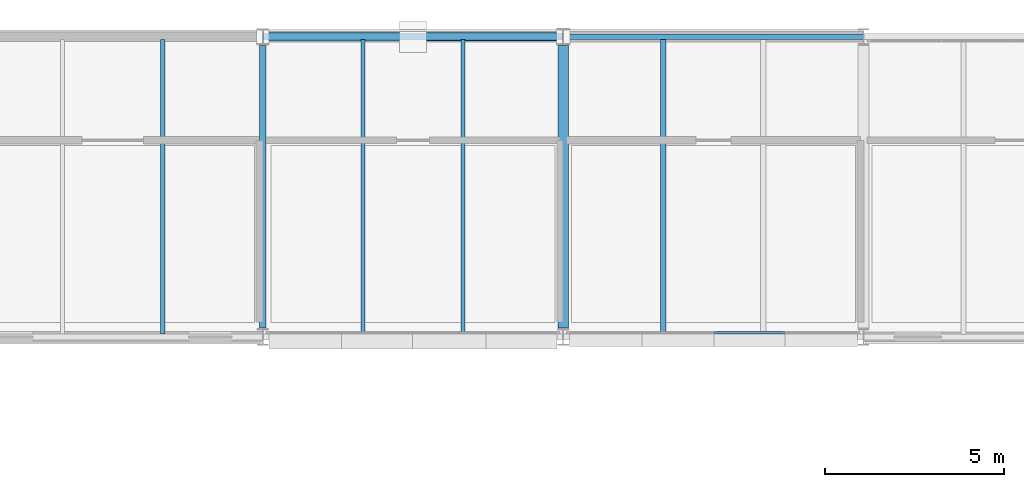
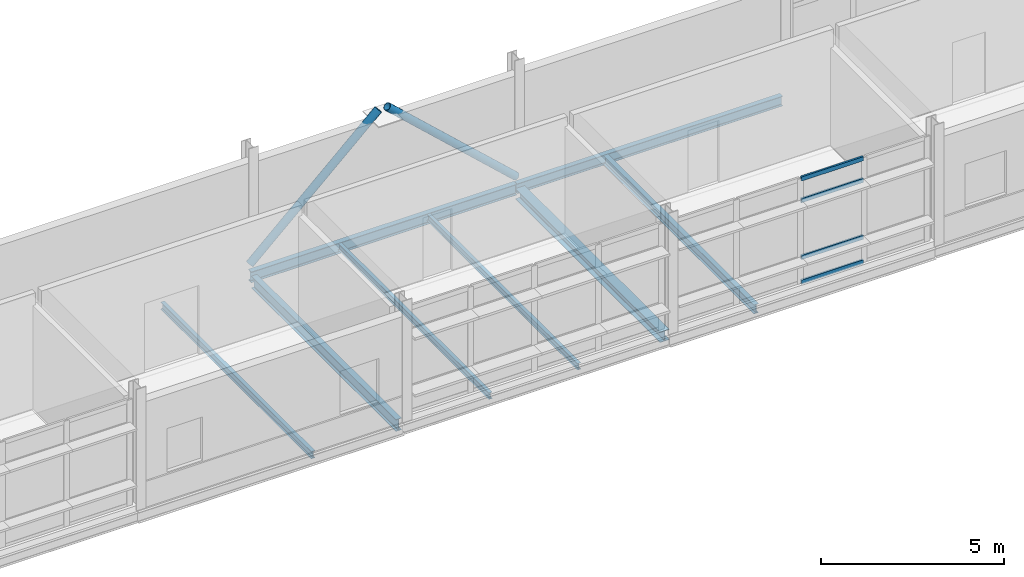
# One storey, part 66 of 131: 8 beams, 6 members, 1 element without a shape of its own.
"""IFC4 building model written with IfcOpenShell, lengths in metres."""

from ifc_helpers import new_model, si_unit, direction, frame, origin, origin_2d, place, context, subcontext, project, spatial, hollow_rectangle, hollow_circle, i_section, extrude, material, material_profile, profile_set, type_object, element, aggregate, save


model = new_model("IFC4")

# Units and contexts
model_context = context("Model", 3, precision=1e-05, world=origin(), true_north=direction((0.0, 1.0)))
body_context = subcontext(model_context, "Body", "Model", "MODEL_VIEW")
ifc_project = project(units=[si_unit("LENGTHUNIT", "METRE"), si_unit("AREAUNIT", "SQUARE_METRE"), si_unit("VOLUMEUNIT", "CUBIC_METRE"), si_unit("PLANEANGLEUNIT", "RADIAN"), si_unit("MASSUNIT", "GRAM", prefix="KILO")], contexts=[model_context])

# Site, building, storey
site_placement = place(None, origin())
site = spatial("IfcSite", under=ifc_project, at=site_placement, CompositionType="ELEMENT")
building_placement = place(site_placement, origin())
building = spatial("IfcBuilding", under=site, at=building_placement, Name="Mersafa Astral City Hall", CompositionType="ELEMENT")
storey_placement = place(building_placement, frame((0.0, 0.0, 13.949951171875)))
storey = spatial("IfcBuildingStorey", under=building, at=storey_placement, Name="L03", CompositionType="ELEMENT", Elevation=13.949951171875)

# Curtain wall, members
ifc_material_1 = material(Name="Anodised bronze aluminium framing", Category="aluminium")
curtain_wall_type = type_object("IfcCurtainWallType", Name="ENV-CW-2", PredefinedType="USERDEFINED", material=ifc_material_1)
curtain_wall_placement = place(storey_placement, origin())
curtain_wall = element("IfcCurtainWall", 1, at=curtain_wall_placement, inside=storey, type_object=curtain_wall_type, Name="L03 Unitised solar curtain wall 181", ObjectType="UNITISED CURTAIN WALL", PredefinedType="USERDEFINED")
ifc_material_profile_1 = material_profile(ifc_material_1, hollow_rectangle(XDim=0.06005859375, YDim=0.139892578125, WallThickness=0.00390625, at=origin_2d()), Name="RHS 60x140x4")
ifc_profile_set_1 = profile_set([ifc_material_profile_1], Name="Anodised bronze aluminium framing")
member_type_1 = type_object("IfcMemberType", Name="ENV-CW-TRN-1", PredefinedType="USERDEFINED", material=ifc_profile_set_1)
member_1_placement = place(storey_placement, frame((88.22998046875, 117.719970703125, 0.028076171875), z_axis=(1.0, 0.0, 0.0), x_axis=(0.0, 1.0, 0.0)))
member_1 = element("IfcMember", 2, at=member_1_placement, type_object=member_type_1, Name="CW-2 transom 3.1", ObjectType="TRANSOM", PredefinedType="USERDEFINED", context=body_context, shape_type="SweptSolid", body=[
    extrude(hollow_rectangle(XDim=0.06005859375, YDim=0.139892578125, WallThickness=0.00390625, at=origin_2d()), origin(), (0.0, 0.0, 1.0), 1.958984375),
])
member_2_placement = place(storey_placement, frame((88.22998046875, 117.719970703125, 0.85009765625), z_axis=(1.0, 0.0, 0.0), x_axis=(0.0, 1.0, 0.0)))
member_2 = element("IfcMember", 3, at=member_2_placement, type_object=member_type_1, Name="CW-2 transom 3.2", ObjectType="TRANSOM", PredefinedType="USERDEFINED", context=body_context, shape_type="SweptSolid", body=[
    extrude(hollow_rectangle(XDim=0.06005859375, YDim=0.139892578125, WallThickness=0.00390625, at=origin_2d()), origin(), (0.0, 0.0, 1.0), 1.958984375),
])
member_3_placement = place(storey_placement, frame((88.22998046875, 117.719970703125, 2.75), z_axis=(1.0, 0.0, 0.0), x_axis=(0.0, 1.0, 0.0)))
member_3 = element("IfcMember", 4, at=member_3_placement, type_object=member_type_1, Name="CW-2 transom 3.3", ObjectType="TRANSOM", PredefinedType="USERDEFINED", context=body_context, shape_type="SweptSolid", body=[
    extrude(hollow_rectangle(XDim=0.06005859375, YDim=0.139892578125, WallThickness=0.00390625, at=origin_2d()), origin(), (0.0, 0.0, 1.0), 1.958984375),
])
member_4_placement = place(storey_placement, frame((88.22998046875, 117.719970703125, 3.47216796875), z_axis=(1.0, 0.0, 0.0), x_axis=(0.0, 1.0, 0.0)))
member_4 = element("IfcMember", 5, at=member_4_placement, type_object=member_type_1, Name="CW-2 transom 3.4", ObjectType="TRANSOM", PredefinedType="USERDEFINED", context=body_context, shape_type="SweptSolid", body=[
    extrude(hollow_rectangle(XDim=0.06005859375, YDim=0.139892578125, WallThickness=0.00390625, at=origin_2d()), origin(), (0.0, 0.0, 1.0), 1.958984375),
])
aggregate(curtain_wall, [member_1, member_2, member_3, member_4])

# Beams
ifc_material_2 = material(Name="Steel S355", Category="steel")
ifc_material_profile_2 = material_profile(ifc_material_2, i_section(OverallWidth=0.300048828125, OverallDepth=0.35009765625, WebThickness=0.010009765625, FlangeThickness=0.017578125, FilletRadius=0.027099609375, at=origin_2d()), Name="HEA 360")
ifc_profile_set_2 = profile_set([ifc_material_profile_2], Name="Steel S355")
beam_type_1 = type_object("IfcBeamType", Name="STR-BM-HEA360", PredefinedType="BEAM", material=ifc_profile_set_2)
beam_1_placement = place(storey_placement, frame((84.0, 117.844970703125, -0.375), z_axis=(0.0, 1.0, 0.0), x_axis=(-1.0, 0.0, 0.0)))
element("IfcBeam", 6, at=beam_1_placement, inside=storey, type_object=beam_type_1, Name="L03 Primary girder Y 10-14", PredefinedType="BEAM", context=body_context, shape_type="SweptSolid", body=[
    extrude(i_section(OverallWidth=0.300048828125, OverallDepth=0.35009765625, WebThickness=0.010009765625, FlangeThickness=0.017578125, FilletRadius=0.027099609375, at=origin_2d()), origin(), (0.0, 0.0, 1.0), 7.909912109375),
])
ifc_material_profile_3 = material_profile(ifc_material_2, i_section(OverallWidth=0.179931640625, OverallDepth=0.39990234375, WebThickness=0.008544921875, FlangeThickness=0.013427734375, FilletRadius=0.02099609375, at=origin_2d()), Name="IPE 400")
ifc_profile_set_3 = profile_set([ifc_material_profile_3], Name="Steel S355")
beam_type_2 = type_object("IfcBeamType", Name="STR-BM-IPE400", PredefinedType="BEAM", material=ifc_profile_set_3)
beam_2_placement = place(storey_placement, frame((75.60009765625, 117.844970703125, -0.39990234375), z_axis=(0.0, 1.0, 0.0), x_axis=(-1.0, 0.0, 0.0)))
element("IfcBeam", 7, at=beam_2_placement, inside=storey, type_object=beam_type_2, Name="L03 Primary girder Y 9-14", PredefinedType="BEAM", context=body_context, shape_type="SweptSolid", body=[
    extrude(i_section(OverallWidth=0.179931640625, OverallDepth=0.39990234375, WebThickness=0.008544921875, FlangeThickness=0.013427734375, FilletRadius=0.02099609375, at=origin_2d()), origin(), (0.0, 0.0, 1.0), 7.909912109375),
])
ifc_material_profile_4 = material_profile(ifc_material_2, i_section(OverallWidth=0.110107421875, OverallDepth=0.219970703125, WebThickness=0.005859375, FlangeThickness=0.00927734375, FilletRadius=0.011962890625, at=origin_2d()), Name="IPE 220")
ifc_profile_set_4 = profile_set([ifc_material_profile_4], Name="Steel S355")
beam_type_3 = type_object("IfcBeamType", Name="STR-BM-JOIST-IPE220", PredefinedType="JOIST", material=ifc_profile_set_4)
for number, where, z_axis, x_axis, name in (
    (8, (78.39990234375, 117.675048828125, -0.31005859375), (0.0, 1.0, 0.0), (-1.0, 0.0, 0.0), "L03 Composite secondary floor joist 578"),
    (9, (81.199951171875, 117.675048828125, -0.31005859375), (0.0, 1.0, 0.0), (-1.0, 0.0, 0.0), "L03 Composite secondary floor joist 579"),
):
    element("IfcBeam", number, at=place(storey_placement, frame(where, z_axis=z_axis, x_axis=x_axis)), inside=storey, type_object=beam_type_3, Name=name, PredefinedType="JOIST", context=body_context, shape_type="SweptSolid", body=[
        extrude(i_section(OverallWidth=0.110107421875, OverallDepth=0.219970703125, WebThickness=0.005859375, FlangeThickness=0.00927734375, FilletRadius=0.011962890625, at=origin_2d()), origin(), (0.0, 0.0, 1.0), 8.244873046875),
    ])
ifc_material_profile_5 = material_profile(ifc_material_2, i_section(OverallWidth=0.1201171875, OverallDepth=0.239990234375, WebThickness=0.006103515625, FlangeThickness=0.009765625, FilletRadius=0.014892578125, at=origin_2d()), Name="IPE 240")
ifc_profile_set_5 = profile_set([ifc_material_profile_5], Name="Steel S355")
beam_type_4 = type_object("IfcBeamType", Name="STR-BM-JOIST-IPE240", PredefinedType="JOIST", material=ifc_profile_set_5)
beam_3_placement = place(storey_placement, frame((72.800048828125, 117.679931640625, -0.320068359375), z_axis=(0.0, 1.0, 0.0), x_axis=(-1.0, 0.0, 0.0)))
element("IfcBeam", 10, at=beam_3_placement, inside=storey, type_object=beam_type_4, Name="L03 Composite secondary floor joist 577", PredefinedType="JOIST", context=body_context, shape_type="SweptSolid", body=[
    extrude(i_section(OverallWidth=0.1201171875, OverallDepth=0.239990234375, WebThickness=0.006103515625, FlangeThickness=0.009765625, FilletRadius=0.014892578125, at=origin_2d()), origin(), (0.0, 0.0, 1.0), 8.2451171875),
])
ifc_material_profile_6 = material_profile(ifc_material_2, i_section(OverallWidth=0.14990234375, OverallDepth=0.300048828125, WebThickness=0.007080078125, FlangeThickness=0.0107421875, FilletRadius=0.014892578125, at=origin_2d()), Name="IPE 300")
ifc_profile_set_6 = profile_set([ifc_material_profile_6], Name="Steel S355")
beam_type_5 = type_object("IfcBeamType", Name="STR-BM-JOIST-IPE300", PredefinedType="JOIST", material=ifc_profile_set_6)
beam_4_placement = place(storey_placement, frame((86.800048828125, 117.679931640625, -0.349853515625), z_axis=(0.0, 1.0, 0.0), x_axis=(-1.0, 0.0, 0.0)))
element("IfcBeam", 11, at=beam_4_placement, inside=storey, type_object=beam_type_5, Name="L03 Composite secondary floor joist 580", PredefinedType="JOIST", context=body_context, shape_type="SweptSolid", body=[
    extrude(i_section(OverallWidth=0.14990234375, OverallDepth=0.300048828125, WebThickness=0.007080078125, FlangeThickness=0.0107421875, FilletRadius=0.014892578125, at=origin_2d()), origin(), (0.0, 0.0, 1.0), 8.2451171875),
])
ifc_material_profile_7 = material_profile(ifc_material_2, i_section(OverallWidth=0.159912109375, OverallDepth=0.330078125, WebThickness=0.007568359375, FlangeThickness=0.011474609375, FilletRadius=0.01806640625, at=origin_2d()), Name="IPE 330")
ifc_profile_set_7 = profile_set([ifc_material_profile_7], Name="Steel S355")
beam_type_6 = type_object("IfcBeamType", Name="STR-BM-SPANDREL-IPE330", PredefinedType="SPANDREL", material=ifc_profile_set_7)
beam_5_placement = place(storey_placement, frame((84.0029296875, 126.0, -0.364990234375), z_axis=(1.0, 0.0, 0.0), x_axis=(0.0, 1.0, 0.0)))
element("IfcBeam", 12, at=beam_5_placement, inside=storey, type_object=beam_type_6, Name="L03 Primary girder X 10-15", PredefinedType="SPANDREL", context=body_context, shape_type="SweptSolid", body=[
    extrude(i_section(OverallWidth=0.159912109375, OverallDepth=0.330078125, WebThickness=0.007568359375, FlangeThickness=0.011474609375, FilletRadius=0.01806640625, at=origin_2d()), origin(), (0.0, 0.0, 1.0), 8.39404296875),
])
ifc_material_profile_8 = material_profile(ifc_material_2, i_section(OverallWidth=0.169921875, OverallDepth=0.360107421875, WebThickness=0.008056640625, FlangeThickness=0.0126953125, FilletRadius=0.01806640625, at=origin_2d()), Name="IPE 360")
ifc_profile_set_8 = profile_set([ifc_material_profile_8], Name="Steel S355")
beam_type_7 = type_object("IfcBeamType", Name="STR-BM-SPANDREL-IPE360", PredefinedType="SPANDREL", material=ifc_profile_set_8)
beam_6_placement = place(storey_placement, frame((75.60302734375, 126.0, -0.3798828125), z_axis=(1.0, 0.0, 0.0), x_axis=(0.0, 1.0, 0.0)))
element("IfcBeam", 13, at=beam_6_placement, inside=storey, type_object=beam_type_7, Name="L03 Primary girder X 9-15", PredefinedType="SPANDREL", context=body_context, shape_type="SweptSolid", body=[
    extrude(i_section(OverallWidth=0.169921875, OverallDepth=0.360107421875, WebThickness=0.008056640625, FlangeThickness=0.0126953125, FilletRadius=0.01806640625, at=origin_2d()), origin(), (0.0, 0.0, 1.0), 8.39404296875),
])

# Members
ifc_material_profile_9 = material_profile(ifc_material_2, hollow_circle(Radius=0.122314453125, WallThickness=0.012451171875, at=origin_2d()), Name="CHS 244.5x12.5")
ifc_profile_set_9 = profile_set([ifc_material_profile_9], Name="Steel S355")
member_type_2 = type_object("IfcMemberType", Name="STR-MBR-BRACE-CHS245", PredefinedType="BRACE", material=ifc_profile_set_9)
for number, where, z_axis, x_axis, name in (
    (14, (75.597900390625, 126.0, 0.02001953125), (0.735203128341, 0.0, 0.677846855917), (0.0, 1.0, 0.0), "L03 Chevron lateral brace 11A"),
    (15, (84.001953125, 126.0, 0.02001953125), (-0.735203128341, 0.0, 0.677846855917), (0.0, -1.0, 0.0), "L03 Chevron lateral brace 11B"),
):
    element("IfcMember", number, at=place(storey_placement, frame(where, z_axis=z_axis, x_axis=x_axis)), inside=storey, type_object=member_type_2, Name=name, PredefinedType="BRACE", context=body_context, shape_type="SweptSolid", body=[
        extrude(hollow_circle(Radius=0.122314453125, WallThickness=0.012451171875, at=origin_2d()), origin(), (0.0, 0.0, 1.0), 5.52490234375),
    ])

save(model, "model.ifc")
